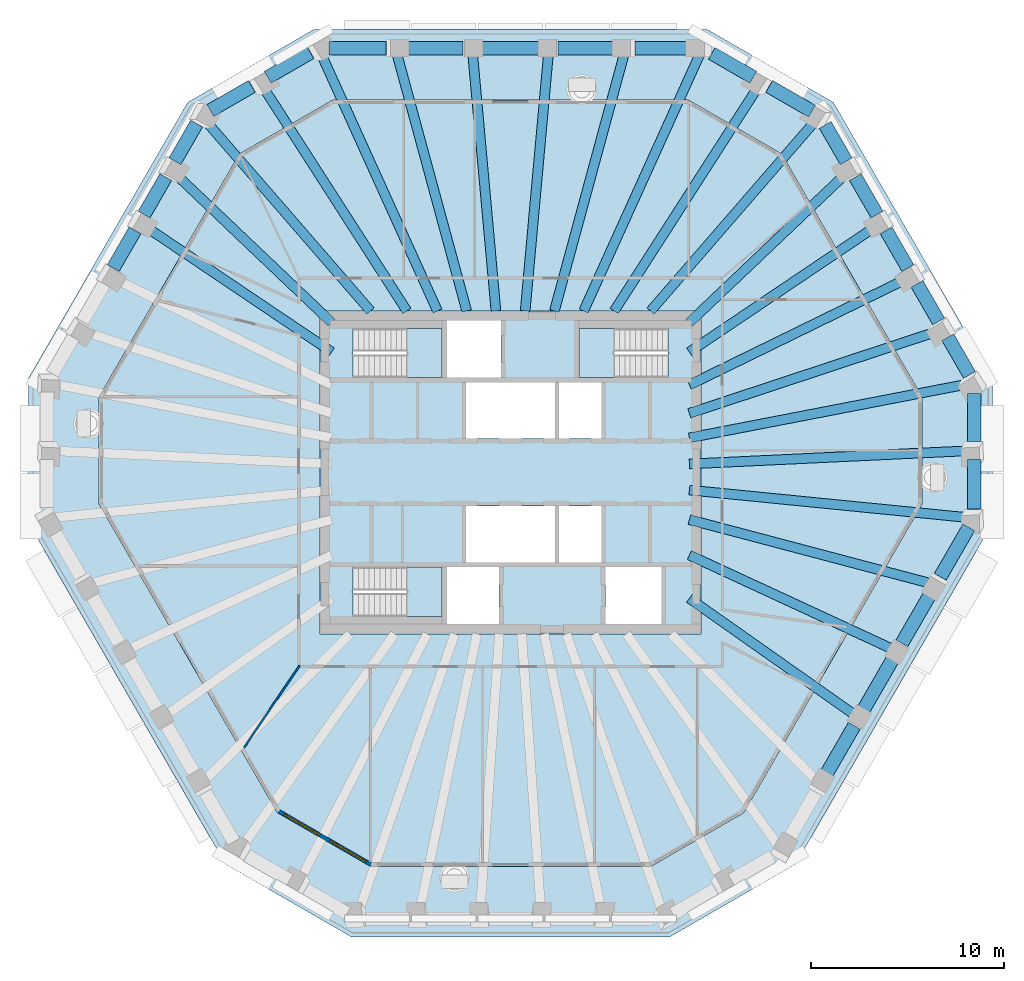
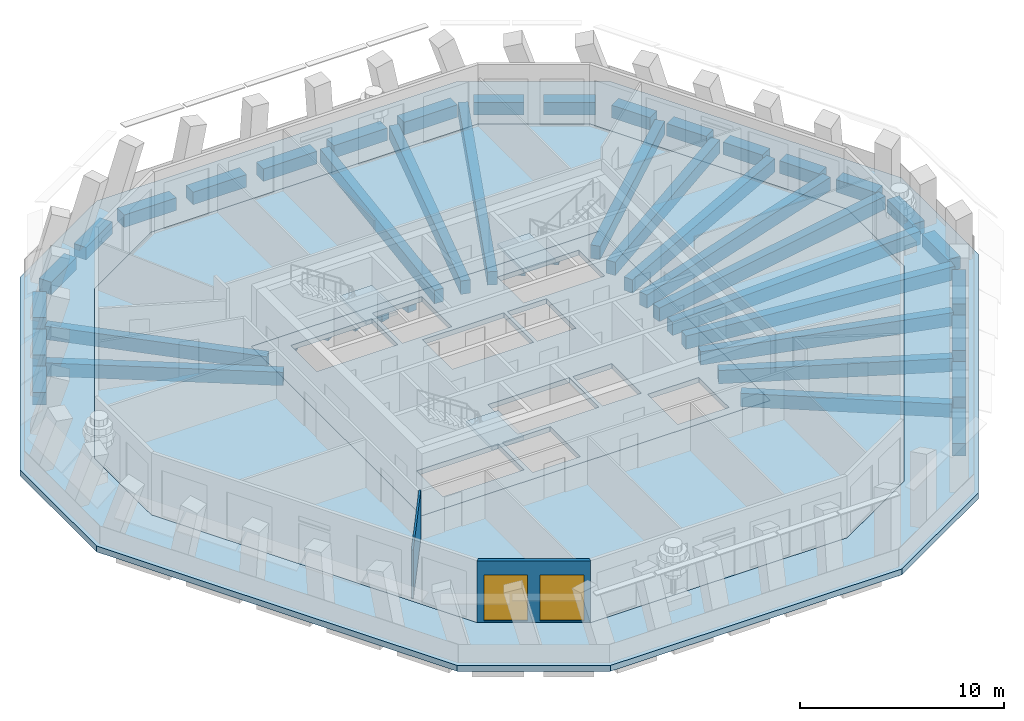
# One storey, part 2 of 11: 45 beams, 6 slabs, 2 walls, 2 windows, 2 openings, 3 elements without a shape of their own.
"""IFC4 building model written with IfcOpenShell, lengths in metres."""

from ifc_helpers import new_model, si_unit, direction, frame, frame_2d, origin, origin_2d, place, context, subcontext, project, spatial, polyline, rectangle, outline, extrude, material, layer, layer_set, material_profile, profile_set, type_object, element, fill, aggregate, save


model = new_model("IFC4")

# Units and contexts
model_context = context("Model", 3, precision=1e-05, world=origin(), true_north=direction((0.0, 1.0)))
body_context = subcontext(model_context, "Body", "Model", "MODEL_VIEW")
ifc_project = project(units=[si_unit("LENGTHUNIT", "METRE"), si_unit("AREAUNIT", "SQUARE_METRE"), si_unit("VOLUMEUNIT", "CUBIC_METRE"), si_unit("PLANEANGLEUNIT", "RADIAN"), si_unit("MASSUNIT", "GRAM", prefix="KILO")], contexts=[model_context])

# Site, building, storey
site_placement = place(None, origin())
site = spatial("IfcSite", under=ifc_project, at=site_placement, CompositionType="ELEMENT")
building_placement = place(site_placement, origin())
building = spatial("IfcBuilding", under=site, at=building_placement, Name="Frailejon Research Tower", CompositionType="ELEMENT")
storey_placement = place(building_placement, frame((0.0, 0.0, 299.0)))
storey = spatial("IfcBuildingStorey", under=building, at=storey_placement, Name="L66", CompositionType="ELEMENT", Elevation=299.0)

# Beams
ifc_material_1 = material(Name="Concrete C60/75", Category="concrete")
ifc_material_profile_1 = material_profile(ifc_material_1, rectangle(XDim=0.5, YDim=0.800048828125, at=origin_2d()), Name="Girder 500x800")
ifc_profile_set_1 = profile_set([ifc_material_profile_1], Name="Concrete C60/75")
beam_type_1 = type_object("IfcBeamType", Name="Girder 500x800", PredefinedType="BEAM", material=ifc_profile_set_1)
beam_1_placement = place(storey_placement, frame((23.6513671875, -2.33837890625, -0.699951171875), z_axis=(-0.99514814277, 0.098387874968, 0.0), x_axis=(-0.098387874968, -0.99514814277, 0.0)))
element("IfcBeam", 1, at=beam_1_placement, inside=storey, type_object=beam_type_1, Name="Girder 500x800", PredefinedType="BEAM", context=body_context, shape_type="SweptSolid", body=[
    extrude(rectangle(XDim=0.5, YDim=0.800048828125, at=origin_2d()), origin(), (0.0, 0.0, 1.0), 14.4716796875),
])
beam_2_placement = place(storey_placement, frame((23.65185546875, 1.115966796875, -0.699951171875), z_axis=(-0.998888199333, -0.047141968926, 0.0), x_axis=(0.047141968926, -0.998888199333, 0.0)))
element("IfcBeam", 2, at=beam_2_placement, inside=storey, type_object=beam_type_1, Name="Girder 500x800", PredefinedType="BEAM", context=body_context, shape_type="SweptSolid", body=[
    extrude(rectangle(XDim=0.5, YDim=0.800048828125, at=origin_2d()), origin(), (0.0, 0.0, 1.0), 14.41796875),
])
beam_3_placement = place(storey_placement, frame((23.630859375, 4.56640625, -0.699951171875), z_axis=(-0.981838185614, -0.189720260571, 0.0), x_axis=(0.189720260571, -0.981838185614, 0.0)))
element("IfcBeam", 3, at=beam_3_placement, inside=storey, type_object=beam_type_1, Name="Girder 500x800", PredefinedType="BEAM", context=body_context, shape_type="SweptSolid", body=[
    extrude(rectangle(XDim=0.5, YDim=0.800048828125, at=origin_2d()), origin(), (0.0, 0.0, 1.0), 14.64697265625),
])
beam_4_placement = place(storey_placement, frame((22.063720703125, 7.291259765625, -0.699951171875), z_axis=(-0.949499629015, -0.313768154056, 0.0), x_axis=(0.313768154056, -0.949499629015, 0.0)))
element("IfcBeam", 4, at=beam_4_placement, inside=storey, type_object=beam_type_1, Name="Girder 500x800", PredefinedType="BEAM", context=body_context, shape_type="SweptSolid", body=[
    extrude(rectangle(XDim=0.5, YDim=0.800048828125, at=origin_2d()), origin(), (0.0, 0.0, 1.0), 13.4951171875),
])
beam_5_placement = place(storey_placement, frame((20.49365234375, 10.01611328125, -0.699951171875), z_axis=(-0.898432764526, -0.439111110798, 0.0), x_axis=(0.439111110798, -0.898432764526, 0.0)))
element("IfcBeam", 5, at=beam_5_placement, inside=storey, type_object=beam_type_1, Name="Girder 500x800", PredefinedType="BEAM", context=body_context, shape_type="SweptSolid", body=[
    extrude(rectangle(XDim=0.5, YDim=0.800048828125, at=origin_2d()), origin(), (0.0, 0.0, 1.0), 12.5146484375),
])
beam_6_placement = place(storey_placement, frame((18.9208984375, 12.739990234375, -0.699951171875), z_axis=(-0.829489988304, -0.558521583561, 0.0), x_axis=(0.558521583561, -0.829489988304, 0.0)))
element("IfcBeam", 6, at=beam_6_placement, inside=storey, type_object=beam_type_1, Name="Girder 500x800", PredefinedType="BEAM", context=body_context, shape_type="SweptSolid", body=[
    extrude(rectangle(XDim=0.5, YDim=0.800048828125, at=origin_2d()), origin(), (0.0, 0.0, 1.0), 11.658935546875),
])
beam_7_placement = place(storey_placement, frame((17.350830078125, 15.451904296875, -0.699951171875), z_axis=(-0.724726169983, -0.689036993594, 0.0), x_axis=(0.689036993594, -0.724726169983, 0.0)))
element("IfcBeam", 7, at=beam_7_placement, inside=storey, type_object=beam_type_1, Name="Girder 500x800", PredefinedType="BEAM", context=body_context, shape_type="SweptSolid", body=[
    extrude(rectangle(XDim=0.5, YDim=0.800048828125, at=origin_2d()), origin(), (0.0, 0.0, 1.0), 11.177734375),
])
beam_8_placement = place(storey_placement, frame((15.782470703125, 18.19580078125, -0.699951171875), z_axis=(-0.65524141329, -0.755419545888, 0.0), x_axis=(0.755419545888, -0.65524141329, 0.0)))
element("IfcBeam", 8, at=beam_8_placement, inside=storey, type_object=beam_type_1, Name="Girder 500x800", PredefinedType="BEAM", context=body_context, shape_type="SweptSolid", body=[
    extrude(rectangle(XDim=0.5, YDim=0.800048828125, at=origin_2d()), origin(), (0.0, 0.0, 1.0), 13.033447265625),
])
beam_9_placement = place(storey_placement, frame((12.79248046875, 19.925048828125, -0.699951171875), z_axis=(-0.540273990886, -0.841489164976, 0.0), x_axis=(0.841489164976, -0.540273990886, 0.0)))
element("IfcBeam", 9, at=beam_9_placement, inside=storey, type_object=beam_type_1, Name="Girder 500x800", PredefinedType="BEAM", context=body_context, shape_type="SweptSolid", body=[
    extrude(rectangle(XDim=0.5, YDim=0.800048828125, at=origin_2d()), origin(), (0.0, 0.0, 1.0), 13.75537109375),
])
beam_10_placement = place(storey_placement, frame((9.7822265625, 21.61181640625, -0.699951171875), z_axis=(-0.412358131285, -0.911021828258, 0.0), x_axis=(0.911021828258, -0.412358131285, 0.0)))
element("IfcBeam", 10, at=beam_10_placement, inside=storey, type_object=beam_type_1, Name="Girder 500x800", PredefinedType="BEAM", context=body_context, shape_type="SweptSolid", body=[
    extrude(rectangle(XDim=0.5, YDim=0.800048828125, at=origin_2d()), origin(), (0.0, 0.0, 1.0), 14.556884765625),
])
beam_11_placement = place(storey_placement, frame((5.87158203125, 21.619873046875, -0.699951171875), z_axis=(-0.2621001679, -0.965040673747, 0.0), x_axis=(0.965040673747, -0.2621001679, 0.0)))
element("IfcBeam", 11, at=beam_11_placement, inside=storey, type_object=beam_type_1, Name="Girder 500x800", PredefinedType="BEAM", context=body_context, shape_type="SweptSolid", body=[
    extrude(rectangle(XDim=0.5, YDim=0.800048828125, at=origin_2d()), origin(), (0.0, 0.0, 1.0), 13.75048828125),
])
for number, where, z_axis, x_axis, name in (
    (12, (1.95751953125, 21.62451171875, -0.699951171875), (-0.09015588854, -0.995927665928, 0.0), (0.995927665928, -0.09015588854, 0.0), "Girder 500x800"),
    (13, (-1.95751953125, 21.62451171875, -0.699951171875), (0.09015588854, -0.995927665928, 0.0), (0.995927665928, 0.09015588854, 0.0), "Girder 500x800"),
):
    element("IfcBeam", number, at=place(storey_placement, frame(where, z_axis=z_axis, x_axis=x_axis)), inside=storey, type_object=beam_type_1, Name=name, PredefinedType="BEAM", context=body_context, shape_type="SweptSolid", body=[
        extrude(rectangle(XDim=0.5, YDim=0.800048828125, at=origin_2d()), origin(), (0.0, 0.0, 1.0), 13.32861328125),
    ])
beam_12_placement = place(storey_placement, frame((-5.87158203125, 21.619873046875, -0.699951171875), z_axis=(0.2621001679, -0.965040673747, 0.0), x_axis=(0.965040673747, 0.2621001679, 0.0)))
element("IfcBeam", 14, at=beam_12_placement, inside=storey, type_object=beam_type_1, Name="Girder 500x800", PredefinedType="BEAM", context=body_context, shape_type="SweptSolid", body=[
    extrude(rectangle(XDim=0.5, YDim=0.800048828125, at=origin_2d()), origin(), (0.0, 0.0, 1.0), 13.75048828125),
])
beam_13_placement = place(storey_placement, frame((-9.800537109375, 21.65185546875, -0.699951171875), z_axis=(0.412368792909, -0.911017002385, 0.0), x_axis=(0.911017002385, 0.412368792909, 0.0)))
element("IfcBeam", 15, at=beam_13_placement, inside=storey, type_object=beam_type_1, Name="Girder 500x800", PredefinedType="BEAM", context=body_context, shape_type="SweptSolid", body=[
    extrude(rectangle(XDim=0.5, YDim=0.800048828125, at=origin_2d()), origin(), (0.0, 0.0, 1.0), 14.60107421875),
])
beam_14_placement = place(storey_placement, frame((-12.79248046875, 19.925048828125, -0.699951171875), z_axis=(0.540273990886, -0.841489164976, 0.0), x_axis=(0.841489164976, 0.540273990886, 0.0)))
element("IfcBeam", 16, at=beam_14_placement, inside=storey, type_object=beam_type_1, Name="Girder 500x800", PredefinedType="BEAM", context=body_context, shape_type="SweptSolid", body=[
    extrude(rectangle(XDim=0.5, YDim=0.800048828125, at=origin_2d()), origin(), (0.0, 0.0, 1.0), 13.75537109375),
])
beam_15_placement = place(storey_placement, frame((-15.77001953125, 18.181640625, -0.699951171875), z_axis=(0.655234010435, -0.755425966968, 0.0), x_axis=(0.755425966968, 0.655234010435, 0.0)))
element("IfcBeam", 17, at=beam_15_placement, inside=storey, type_object=beam_type_1, Name="Girder 500x800", PredefinedType="BEAM", context=body_context, shape_type="SweptSolid", body=[
    extrude(rectangle(XDim=0.5, YDim=0.800048828125, at=origin_2d()), origin(), (0.0, 0.0, 1.0), 13.0146484375),
])
beam_16_placement = place(storey_placement, frame((-17.350830078125, 15.451904296875, -0.699951171875), z_axis=(0.724726169983, -0.689036993594, 0.0), x_axis=(0.689036993594, 0.724726169983, 0.0)))
element("IfcBeam", 18, at=beam_16_placement, inside=storey, type_object=beam_type_1, Name="Girder 500x800", PredefinedType="BEAM", context=body_context, shape_type="SweptSolid", body=[
    extrude(rectangle(XDim=0.5, YDim=0.800048828125, at=origin_2d()), origin(), (0.0, 0.0, 1.0), 11.177734375),
])
beam_17_placement = place(storey_placement, frame((-18.9208984375, 12.739990234375, -0.699951171875), z_axis=(0.829489988304, -0.558521583561, 0.0), x_axis=(0.558521583561, 0.829489988304, 0.0)))
element("IfcBeam", 19, at=beam_17_placement, inside=storey, type_object=beam_type_1, Name="Girder 500x800", PredefinedType="BEAM", context=body_context, shape_type="SweptSolid", body=[
    extrude(rectangle(XDim=0.5, YDim=0.800048828125, at=origin_2d()), origin(), (0.0, 0.0, 1.0), 11.658935546875),
])
beam_18_placement = place(storey_placement, frame((17.74853515625, -12.507568359375, -0.699951171875), z_axis=(-0.817418603613, 0.576044118507, 0.0), x_axis=(-0.576044118507, -0.817418603613, 0.0)))
element("IfcBeam", 20, at=beam_18_placement, inside=storey, type_object=beam_type_1, Name="Girder 500x800", PredefinedType="BEAM", context=body_context, shape_type="SweptSolid", body=[
    extrude(rectangle(XDim=0.5, YDim=0.800048828125, at=origin_2d()), origin(), (0.0, 0.0, 1.0), 10.396728515625),
])
beam_19_placement = place(storey_placement, frame((19.7060546875, -9.11669921875, -0.699951171875), z_axis=(-0.907578187598, 0.419883118732, 0.0), x_axis=(-0.419883118732, -0.907578187598, 0.0)))
element("IfcBeam", 21, at=beam_19_placement, inside=storey, type_object=beam_type_1, Name="Girder 500x800", PredefinedType="BEAM", context=body_context, shape_type="SweptSolid", body=[
    extrude(rectangle(XDim=0.5, YDim=0.800048828125, at=origin_2d()), origin(), (0.0, 0.0, 1.0), 11.520751953125),
])
beam_20_placement = place(storey_placement, frame((21.6591796875, -5.72509765625, -0.699951171875), z_axis=(-0.966796780145, 0.255546445684, 0.0), x_axis=(-0.255546445684, -0.966796780145, 0.0)))
element("IfcBeam", 22, at=beam_20_placement, inside=storey, type_object=beam_type_1, Name="Girder 500x800", PredefinedType="BEAM", context=body_context, shape_type="SweptSolid", body=[
    extrude(rectangle(XDim=0.5, YDim=0.800048828125, at=origin_2d()), origin(), (0.0, 0.0, 1.0), 12.83544921875),
])
ifc_material_2 = material(Name="Concrete C60/75", Category="concrete")
ifc_material_profile_2 = material_profile(ifc_material_2, rectangle(XDim=0.699951171875, YDim=0.75, at=origin_2d()), Name="Spandrel 700x750")
ifc_profile_set_2 = profile_set([ifc_material_profile_2], Name="Concrete C60/75")
beam_type_2 = type_object("IfcBeamType", Name="Spandrel 700x750", PredefinedType="BEAM", material=ifc_profile_set_2)
beam_21_placement = place(storey_placement, frame((23.97705078125, -1.8955078125, -0.72509765625), z_axis=(0.0, 1.0, 0.0), x_axis=(-1.0, 0.0, 0.0)))
element("IfcBeam", 23, at=beam_21_placement, inside=storey, type_object=beam_type_2, Name="Spandrel 700x750", PredefinedType="BEAM", context=body_context, shape_type="SweptSolid", body=[
    extrude(rectangle(XDim=0.699951171875, YDim=0.75, at=origin_2d()), origin(), (0.0, 0.0, 1.0), 2.5517578125),
])
beam_22_placement = place(storey_placement, frame((23.97705078125, 1.606201171875, -0.72509765625), z_axis=(0.0, 1.0, 0.0), x_axis=(-1.0, 0.0, 0.0)))
element("IfcBeam", 24, at=beam_22_placement, inside=storey, type_object=beam_type_2, Name="Spandrel 700x750", PredefinedType="BEAM", context=body_context, shape_type="SweptSolid", body=[
    extrude(rectangle(XDim=0.699951171875, YDim=0.75, at=origin_2d()), origin(), (0.0, 0.0, 1.0), 2.478515625),
])
for number, where, z_axis, x_axis, name in (
    (25, (23.739501953125, 5.044677734375, -0.72509765625), (-0.499983441833, 0.866034963436, 0.0), (-0.866034963436, -0.499983441833, 0.0), "Spandrel 700x750"),
    (26, (22.144287109375, 7.8076171875, -0.72509765625), (-0.499983441833, 0.866034963436, 0.0), (-0.866034963436, -0.499983441833, 0.0), "Spandrel 700x750"),
    (27, (20.549072265625, 10.570556640625, -0.72509765625), (-0.499983441833, 0.866034963436, 0.0), (-0.866034963436, -0.499983441833, 0.0), "Spandrel 700x750"),
    (28, (18.953857421875, 13.33349609375, -0.72509765625), (-0.499983441833, 0.866034963436, 0.0), (-0.866034963436, -0.499983441833, 0.0), "Spandrel 700x750"),
):
    element("IfcBeam", number, at=place(storey_placement, frame(where, z_axis=z_axis, x_axis=x_axis)), inside=storey, type_object=beam_type_2, Name=name, PredefinedType="BEAM", context=body_context, shape_type="SweptSolid", body=[
        extrude(rectangle(XDim=0.699951171875, YDim=0.75, at=origin_2d()), origin(), (0.0, 0.0, 1.0), 2.240234375),
    ])
beam_23_placement = place(storey_placement, frame((17.358642578125, 16.096435546875, -0.72509765625), z_axis=(-0.49995654735, 0.86605048973, 0.0), x_axis=(-0.86605048973, -0.49995654735, 0.0)))
element("IfcBeam", 29, at=beam_23_placement, inside=storey, type_object=beam_type_2, Name="Spandrel 700x750", PredefinedType="BEAM", context=body_context, shape_type="SweptSolid", body=[
    extrude(rectangle(XDim=0.699951171875, YDim=0.75, at=origin_2d()), origin(), (0.0, 0.0, 1.0), 2.166748046875),
])
beam_24_placement = place(storey_placement, frame((15.589599609375, 18.685546875, -0.72509765625), z_axis=(-0.866032638483, 0.499987468925, 0.0), x_axis=(-0.499987468925, -0.866032638483, 0.0)))
element("IfcBeam", 30, at=beam_24_placement, inside=storey, type_object=beam_type_2, Name="Spandrel 700x750", PredefinedType="BEAM", context=body_context, shape_type="SweptSolid", body=[
    extrude(rectangle(XDim=0.699951171875, YDim=0.75, at=origin_2d()), origin(), (0.0, 0.0, 1.0), 2.5517578125),
])
beam_25_placement = place(storey_placement, frame((12.556884765625, 20.4365234375, -0.72509765625), z_axis=(-0.866028115054, 0.499995303914, 0.0), x_axis=(-0.499995303914, -0.866028115054, 0.0)))
element("IfcBeam", 31, at=beam_25_placement, inside=storey, type_object=beam_type_2, Name="Spandrel 700x750", PredefinedType="BEAM", context=body_context, shape_type="SweptSolid", body=[
    extrude(rectangle(XDim=0.699951171875, YDim=0.75, at=origin_2d()), origin(), (0.0, 0.0, 1.0), 2.478515625),
])
for number, where, z_axis, x_axis, name in (
    (32, (9.46044921875, 21.949951171875, -0.72509765625), (-1.0, 0.0, 0.0), (0.0, -1.0, 0.0), "Spandrel 700x750"),
    (33, (5.486328125, 21.949951171875, -0.72509765625), (-1.0, 0.0, 0.0), (0.0, -1.0, 0.0), "Spandrel 700x750"),
):
    element("IfcBeam", number, at=place(storey_placement, frame(where, z_axis=z_axis, x_axis=x_axis)), inside=storey, type_object=beam_type_2, Name=name, PredefinedType="BEAM", context=body_context, shape_type="SweptSolid", body=[
        extrude(rectangle(XDim=0.699951171875, YDim=0.75, at=origin_2d()), origin(), (0.0, 0.0, 1.0), 3.024169921875),
    ])
beam_26_placement = place(storey_placement, frame((1.51220703125, 21.949951171875, -0.72509765625), z_axis=(-1.0, 0.0, 0.0), x_axis=(0.0, -1.0, 0.0)))
element("IfcBeam", 34, at=beam_26_placement, inside=storey, type_object=beam_type_2, Name="Spandrel 700x750", PredefinedType="BEAM", context=body_context, shape_type="SweptSolid", body=[
    extrude(rectangle(XDim=0.699951171875, YDim=0.75, at=origin_2d()), origin(), (0.0, 0.0, 1.0), 3.0244140625),
])
beam_27_placement = place(storey_placement, frame((-2.462158203125, 21.949951171875, -0.72509765625), z_axis=(-1.0, 0.0, 0.0), x_axis=(0.0, -1.0, 0.0)))
element("IfcBeam", 35, at=beam_27_placement, inside=storey, type_object=beam_type_2, Name="Spandrel 700x750", PredefinedType="BEAM", context=body_context, shape_type="SweptSolid", body=[
    extrude(rectangle(XDim=0.699951171875, YDim=0.75, at=origin_2d()), origin(), (0.0, 0.0, 1.0), 3.024169921875),
])
beam_28_placement = place(storey_placement, frame((-6.436279296875, 21.949951171875, -0.72509765625), z_axis=(-1.0, 0.0, 0.0), x_axis=(0.0, -1.0, 0.0)))
element("IfcBeam", 36, at=beam_28_placement, inside=storey, type_object=beam_type_2, Name="Spandrel 700x750", PredefinedType="BEAM", context=body_context, shape_type="SweptSolid", body=[
    extrude(rectangle(XDim=0.699951171875, YDim=0.75, at=origin_2d()), origin(), (0.0, 0.0, 1.0), 2.95068359375),
])
beam_29_placement = place(storey_placement, frame((-10.346923828125, 21.71240234375, -0.72509765625), z_axis=(-0.866032638483, -0.499987468925, 0.0), x_axis=(0.499987468925, -0.866032638483, 0.0)))
element("IfcBeam", 37, at=beam_29_placement, inside=storey, type_object=beam_type_2, Name="Spandrel 700x750", PredefinedType="BEAM", context=body_context, shape_type="SweptSolid", body=[
    extrude(rectangle(XDim=0.699951171875, YDim=0.75, at=origin_2d()), origin(), (0.0, 0.0, 1.0), 2.5517578125),
])
beam_30_placement = place(storey_placement, frame((-13.379638671875, 19.96142578125, -0.72509765625), z_axis=(-0.866028115054, -0.499995303914, 0.0), x_axis=(0.499995303914, -0.866028115054, 0.0)))
element("IfcBeam", 38, at=beam_30_placement, inside=storey, type_object=beam_type_2, Name="Spandrel 700x750", PredefinedType="BEAM", context=body_context, shape_type="SweptSolid", body=[
    extrude(rectangle(XDim=0.699951171875, YDim=0.75, at=origin_2d()), origin(), (0.0, 0.0, 1.0), 2.478515625),
])
for number, where, z_axis, x_axis, name in (
    (39, (-16.238525390625, 18.03662109375, -0.72509765625), (-0.499983441833, -0.866034963436, 0.0), (0.866034963436, -0.499983441833, 0.0), "Spandrel 700x750"),
    (40, (-17.833740234375, 15.273681640625, -0.72509765625), (-0.499983441833, -0.866034963436, 0.0), (0.866034963436, -0.499983441833, 0.0), "Spandrel 700x750"),
    (41, (-19.428955078125, 12.5107421875, -0.72509765625), (-0.499983441833, -0.866034963436, 0.0), (0.866034963436, -0.499983441833, 0.0), "Spandrel 700x750"),
):
    element("IfcBeam", number, at=place(storey_placement, frame(where, z_axis=z_axis, x_axis=x_axis)), inside=storey, type_object=beam_type_2, Name=name, PredefinedType="BEAM", context=body_context, shape_type="SweptSolid", body=[
        extrude(rectangle(XDim=0.699951171875, YDim=0.75, at=origin_2d()), origin(), (0.0, 0.0, 1.0), 2.240234375),
    ])
for number, where, z_axis, x_axis, name in (
    (42, (16.26611328125, -15.726318359375, -0.72509765625), (0.500046237564, 0.865998706869, 0.0), (-0.865998706869, 0.500046237564, 0.0), "Spandrel 700x750"),
    (43, (18.253173828125, -12.284423828125, -0.72509765625), (0.500046237564, 0.865998706869, 0.0), (-0.865998706869, 0.500046237564, 0.0), "Spandrel 700x750"),
    (44, (20.240234375, -8.8427734375, -0.72509765625), (0.500046237564, 0.865998706869, 0.0), (-0.865998706869, 0.500046237564, 0.0), "Spandrel 700x750"),
):
    element("IfcBeam", number, at=place(storey_placement, frame(where, z_axis=z_axis, x_axis=x_axis)), inside=storey, type_object=beam_type_2, Name=name, PredefinedType="BEAM", context=body_context, shape_type="SweptSolid", body=[
        extrude(rectangle(XDim=0.699951171875, YDim=0.75, at=origin_2d()), origin(), (0.0, 0.0, 1.0), 3.024169921875),
    ])
beam_31_placement = place(storey_placement, frame((22.227294921875, -5.40087890625, -0.72509765625), z_axis=(0.500090108003, 0.865973373654, 0.0), x_axis=(-0.865973373654, 0.500090108003, 0.0)))
element("IfcBeam", 45, at=beam_31_placement, inside=storey, type_object=beam_type_2, Name="Spandrel 700x750", PredefinedType="BEAM", context=body_context, shape_type="SweptSolid", body=[
    extrude(rectangle(XDim=0.699951171875, YDim=0.75, at=origin_2d()), origin(), (0.0, 0.0, 1.0), 2.95068359375),
])

# Slabs
ifc_material_3 = material(Name="Concrete C50/60", Category="concrete")
ifc_layer_1 = layer(ifc_material_3, 0.300048828125)
ifc_layer_set_1 = layer_set([ifc_layer_1], Name="Core floor slab 300 C50/60")
slab_type_1 = type_object("IfcSlabType", Name="Core floor slab 300 C50/60", PredefinedType="FLOOR", material=ifc_layer_set_1)
slab_1_placement = place(storey_placement, frame((0.0, 0.0, -0.300048828125)))
element("IfcSlab", 46, at=slab_1_placement, inside=storey, type_object=slab_type_1, Name="Core floor slab", PredefinedType="FLOOR", context=body_context, shape_type="SweptSolid", body=[
    extrude(outline(polyline([(9.85009765625, -8.35009765625), (9.85009765625, 8.35009765625), (-9.85009765625, 8.35009765625), (-9.85009765625, -8.35009765625), (9.85009765625, -8.35009765625)]), holes=[polyline([(2.300048828125, 1.75), (2.300048828125, 4.64990234375), (-2.300048828125, 4.64990234375), (-2.300048828125, 1.75), (2.300048828125, 1.75)]), polyline([(4.699951171875, 1.75), (4.699951171875, 4.64990234375), (2.5, 4.64990234375), (2.5, 1.75), (4.699951171875, 1.75)]), polyline([(2.300048828125, -4.64990234375), (2.300048828125, -1.75), (-2.300048828125, -1.75), (-2.300048828125, -4.64990234375), (2.300048828125, -4.64990234375)]), polyline([(4.699951171875, -4.64990234375), (4.699951171875, -1.75), (2.5, -1.75), (2.5, -4.64990234375), (4.699951171875, -4.64990234375)]), polyline([(-8.14697265625, 4.89990234375), (-3.550048828125, 4.89990234375), (-3.550048828125, 7.449951171875), (-8.14697265625, 7.449951171875), (-8.14697265625, 4.89990234375)]), polyline([(-8.14697265625, -7.449951171875), (-3.550048828125, -7.449951171875), (-3.550048828125, -4.89990234375), (-8.14697265625, -4.89990234375), (-8.14697265625, -7.449951171875)]), polyline([(8.14697265625, 7.449951171875), (3.550048828125, 7.449951171875), (3.550048828125, 4.89990234375), (8.14697265625, 4.89990234375), (8.14697265625, 7.449951171875)]), polyline([(-0.60009765625, -7.85009765625), (-0.60009765625, -4.89990234375), (-3.300048828125, -4.89990234375), (-3.300048828125, -7.85009765625), (-0.60009765625, -7.85009765625)]), polyline([(7.800048828125, -7.85009765625), (7.800048828125, -4.89990234375), (4.89990234375, -4.89990234375), (4.89990234375, -7.85009765625), (7.800048828125, -7.85009765625)]), polyline([(-0.5, 4.89990234375), (-0.5, 7.85009765625), (-3.300048828125, 7.85009765625), (-3.300048828125, 4.89990234375), (-0.5, 4.89990234375)])]), origin(), (0.0, 0.0, 1.0), 0.300048828125),
])
ifc_material_4 = material(Name="Concrete C40/50", Category="concrete")
ifc_layer_2 = layer(ifc_material_4, 0.35009765625)
ifc_layer_set_2 = layer_set([ifc_layer_2], Name="Loggia slab 350")
slab_type_2 = type_object("IfcSlabType", Name="Loggia slab 350", PredefinedType="USERDEFINED", material=ifc_layer_set_2)
slab_2_placement = place(storey_placement, frame((0.0, 0.0, -0.35009765625)))
element("IfcSlab", 47, at=slab_2_placement, inside=storey, type_object=slab_type_2, Name="Loggia slab L66", ObjectType="LOGGIA", PredefinedType="USERDEFINED", context=body_context, shape_type="SweptSolid", body=[
    extrude(outline(polyline([(14.737060546875, -20.27490234375), (8.23046875, -24.03125), (-8.23046875, -24.03125), (-14.737060546875, -20.27490234375), (-24.927001953125, -2.625244140625), (-24.927001953125, 4.887939453125), (-16.696533203125, 19.1435546875), (-10.18994140625, 22.89990234375), (10.18994140625, 22.89990234375), (16.696533203125, 19.1435546875), (24.927001953125, 4.887939453125), (24.927001953125, -2.625244140625), (14.737060546875, -20.27490234375)]), holes=[polyline([(21.277099609375, 3.909912109375), (14.0244140625, 16.471435546875), (9.2119140625, 19.25), (-9.2119140625, 19.25), (-14.0244140625, 16.471435546875), (-21.277099609375, 3.909912109375), (-21.277099609375, -1.647216796875), (-12.06494140625, -17.602783203125), (-7.25244140625, -20.38134765625), (7.25244140625, -20.38134765625), (12.06494140625, -17.602783203125), (21.277099609375, -1.647216796875), (21.277099609375, 3.909912109375)])]), origin(), (0.0, 0.0, 1.0), 0.35009765625),
])
ifc_material_5 = material(Name="Concrete C40/50", Category="concrete")
ifc_layer_3 = layer(ifc_material_5, 0.300048828125)
ifc_layer_set_3 = layer_set([ifc_layer_3], Name="Slab typical 300")
slab_type_3 = type_object("IfcSlabType", Name="Slab typical 300", PredefinedType="FLOOR", material=ifc_layer_set_3)
slab_3_placement = place(storey_placement, frame((0.0, 0.0, -0.300048828125)))
element("IfcSlab", 48, at=slab_3_placement, inside=storey, type_object=slab_type_3, Name="Floor slab L66", PredefinedType="FLOOR", context=body_context, shape_type="SweptSolid", body=[
    extrude(outline(polyline([(21.277099609375, -1.647216796875), (21.277099609375, 3.909912109375), (14.0244140625, 16.471435546875), (9.2119140625, 19.25), (-9.2119140625, 19.25), (-14.0244140625, 16.471435546875), (-21.277099609375, 3.909912109375), (-21.277099609375, -1.647216796875), (-12.06494140625, -17.602783203125), (-7.25244140625, -20.38134765625), (7.25244140625, -20.38134765625), (12.06494140625, -17.602783203125), (21.277099609375, -1.647216796875)]), holes=[polyline([(9.25, 8.35009765625), (9.85009765625, 8.35009765625), (9.85009765625, -8.35009765625), (9.25, -8.35009765625), (-9.25, -8.35009765625), (-9.85009765625, -8.35009765625), (-9.85009765625, 8.35009765625), (-9.25, 8.35009765625), (9.25, 8.35009765625)])]), origin(), (0.0, 0.0, 1.0), 0.300048828125),
])

# Stair, slab
ifc_material_6 = material(Name="Concrete C50/60", Category="concrete")
stair_type = type_object("IfcStairType", Name="Exit stair 22 risers", PredefinedType="HALF_TURN_STAIR", material=ifc_material_6)
stair_1_placement = place(storey_placement, origin())
stair_1 = element("IfcStair", 49, at=stair_1_placement, inside=storey, type_object=stair_type, Name="L66 Exit stair ST1", PredefinedType="HALF_TURN_STAIR")
ifc_material_7 = material(Name="Concrete C50/60", Category="concrete")
ifc_layer_4 = layer(ifc_material_7, 0.199951171875)
ifc_layer_set_4 = layer_set([ifc_layer_4], Name="Stair landing slab 200")
slab_type_4 = type_object("IfcSlabType", Name="Stair landing slab 200", PredefinedType="LANDING", material=ifc_layer_set_4)
slab_4_placement = place(storey_placement, frame((0.0, 0.0, 1.800048828125)))
slab_4 = element("IfcSlab", 50, at=slab_4_placement, type_object=slab_type_4, Name="ST1 landing 1", PredefinedType="LANDING", context=body_context, shape_type="SweptSolid", body=[
    extrude(outline(polyline([(-5.35009765625, 4.89990234375), (-3.550048828125, 4.89990234375), (-3.550048828125, 7.449951171875), (-5.35009765625, 7.449951171875), (-5.35009765625, 4.89990234375)])), origin(), (0.0, 0.0, 1.0), 0.199951171875),
])
aggregate(stair_1, [slab_4])

stair_2_placement = place(storey_placement, origin())
stair_2 = element("IfcStair", 51, at=stair_2_placement, inside=storey, type_object=stair_type, Name="L66 Exit stair ST2", PredefinedType="HALF_TURN_STAIR")
slab_5_placement = place(storey_placement, frame((0.0, 0.0, 1.800048828125)))
slab_5 = element("IfcSlab", 52, at=slab_5_placement, type_object=slab_type_4, Name="ST2 landing 1", PredefinedType="LANDING", context=body_context, shape_type="SweptSolid", body=[
    extrude(outline(polyline([(-5.35009765625, -7.449951171875), (-3.550048828125, -7.449951171875), (-3.550048828125, -4.89990234375), (-5.35009765625, -4.89990234375), (-5.35009765625, -7.449951171875)])), origin(), (0.0, 0.0, 1.0), 0.199951171875),
])
aggregate(stair_2, [slab_5])

stair_3_placement = place(storey_placement, origin())
stair_3 = element("IfcStair", 53, at=stair_3_placement, inside=storey, type_object=stair_type, Name="L66 Exit stair ST3", PredefinedType="HALF_TURN_STAIR")
slab_6_placement = place(storey_placement, frame((0.0, 0.0, 1.800048828125)))
slab_6 = element("IfcSlab", 54, at=slab_6_placement, type_object=slab_type_4, Name="ST3 landing 1", PredefinedType="LANDING", context=body_context, shape_type="SweptSolid", body=[
    extrude(outline(polyline([(5.35009765625, 7.449951171875), (3.550048828125, 7.449951171875), (3.550048828125, 4.89990234375), (5.35009765625, 4.89990234375), (5.35009765625, 7.449951171875)])), origin(), (0.0, 0.0, 1.0), 0.199951171875),
])
aggregate(stair_3, [slab_6])

# Wall
ifc_material_8 = material(Name="Gypsum board and masonry partition", Category="masonry")
ifc_layer_5 = layer(ifc_material_8, 0.10009765625)
ifc_layer_set_5 = layer_set([ifc_layer_5], Name="Partition, gypsum on steel studs 100")
wall_type_1 = type_object("IfcWallType", Name="Partition, gypsum on steel studs 100", PredefinedType="PARTITIONING", material=ifc_layer_set_5)
wall_1_placement = place(storey_placement, frame((-13.78271484375, -14.227783203125, 0.0), z_axis=(0.0, 0.0, 1.0), x_axis=(0.561183207039, 0.827691614152, 0.0)))
element("IfcWall", 55, at=wall_1_placement, inside=storey, type_object=wall_type_1, Name="T:IW:L66:020", PredefinedType="PARTITIONING", context=body_context, shape_type="SweptSolid", body=[
    extrude(rectangle(XDim=5.12255859375, YDim=0.10009765625, at=frame_2d((2.561279296875, 0.0))), origin(), (0.0, 0.0, 1.0), 2.89990234375),
])

# Wall, openings, windows
ifc_material_9 = material(Name="Concrete C40/50 precast window wall panel", Category="concrete")
ifc_layer_6 = layer(ifc_material_9, 0.199951171875)
ifc_layer_set_6 = layer_set([ifc_layer_6], Name="Window wall 200")
wall_type_2 = type_object("IfcWallType", Name="Window wall 200", PredefinedType="SOLIDWALL", material=ifc_layer_set_6)
wall_2_placement = place(storey_placement, frame((-11.99169921875, -17.529541015625, 0.0), z_axis=(0.0, 0.0, 1.0), x_axis=(0.866026017613, -0.499998936816, 0.0)))
wall_2 = element("IfcWall", 56, at=wall_2_placement, inside=storey, type_object=wall_type_2, Name="Exterior wall L66", PredefinedType="SOLIDWALL", context=body_context, shape_type="SweptSolid", body=[
    extrude(outline(polyline([(-0.02685546875, -0.10009765625), (1.08447265625, -0.10009765625), (2.196044921875, -0.10009765625), (3.307373046875, -0.10009765625), (4.4189453125, -0.10009765625), (5.5302734375, -0.10009765625), (5.4765625, 0.10009765625), (4.38671875, 0.10009765625), (3.296630859375, 0.10009765625), (2.206787109375, 0.10009765625), (1.11669921875, 0.10009765625), (0.02685546875, 0.10009765625), (-0.02685546875, -0.10009765625)])), origin(), (0.0, 0.0, 1.0), 3.699951171875),
])
opening_1_placement = place(wall_2_placement, frame((0.30078125, 0.0, 0.10009765625)))
opening_1 = element("IfcOpeningElement", 57, at=opening_1_placement, cuts=wall_2, Name="Opening W22", PredefinedType="OPENING", context=body_context, shape_type="SweptSolid", body=[
    extrude(rectangle(XDim=2.14990234375, YDim=2.75, at=frame_2d((1.074951171875, 1.375))), frame((0.0, 0.10986328125, 0.0), z_axis=(0.0, -1.0, 0.0), x_axis=(1.0, 0.0, 0.0)), (0.0, 0.0, 1.0), 0.219970703125),
])
opening_2_placement = place(wall_2_placement, frame((3.052490234375, 0.0, 0.10009765625)))
opening_2 = element("IfcOpeningElement", 58, at=opening_2_placement, cuts=wall_2, Name="Opening W22", PredefinedType="OPENING", context=body_context, shape_type="SweptSolid", body=[
    extrude(rectangle(XDim=2.14990234375, YDim=2.75, at=frame_2d((1.074951171875, 1.375))), frame((0.0, 0.10986328125, 0.0), z_axis=(0.0, -1.0, 0.0), x_axis=(1.0, 0.0, 0.0)), (0.0, 0.0, 1.0), 0.219970703125),
])
ifc_material_10 = material(Name="Aluminium framed double glazing", Category="aluminium")
window_type = type_object("IfcWindowType", Name="Window 2150x2750", PartitioningType="SINGLE_PANEL", PredefinedType="WINDOW", material=ifc_material_10)
window_1_placement = place(opening_1_placement, origin())
window_1 = element("IfcWindow", 59, at=window_1_placement, inside=storey, type_object=window_type, Name="Window L66", OverallHeight=2.75, OverallWidth=2.14990234375, PartitioningType="SINGLE_PANEL", PredefinedType="WINDOW", context=body_context, shape_type="SweptSolid", body=[
    extrude(rectangle(XDim=2.14990234375, YDim=2.75, at=frame_2d((1.074951171875, 1.375))), frame((0.0, 0.030029296875, 0.0), z_axis=(0.0, -1.0, 0.0), x_axis=(1.0, 0.0, 0.0)), (0.0, 0.0, 1.0), 0.06005859375),
])
fill(opening_1, window_1)
window_2_placement = place(opening_2_placement, origin())
window_2 = element("IfcWindow", 60, at=window_2_placement, inside=storey, type_object=window_type, Name="Window L66", OverallHeight=2.75, OverallWidth=2.14990234375, PartitioningType="SINGLE_PANEL", PredefinedType="WINDOW", context=body_context, shape_type="SweptSolid", body=[
    extrude(rectangle(XDim=2.14990234375, YDim=2.75, at=frame_2d((1.074951171875, 1.375))), frame((0.0, 0.030029296875, 0.0), z_axis=(0.0, -1.0, 0.0), x_axis=(1.0, 0.0, 0.0)), (0.0, 0.0, 1.0), 0.06005859375),
])
fill(opening_2, window_2)

save(model, "model.ifc")
